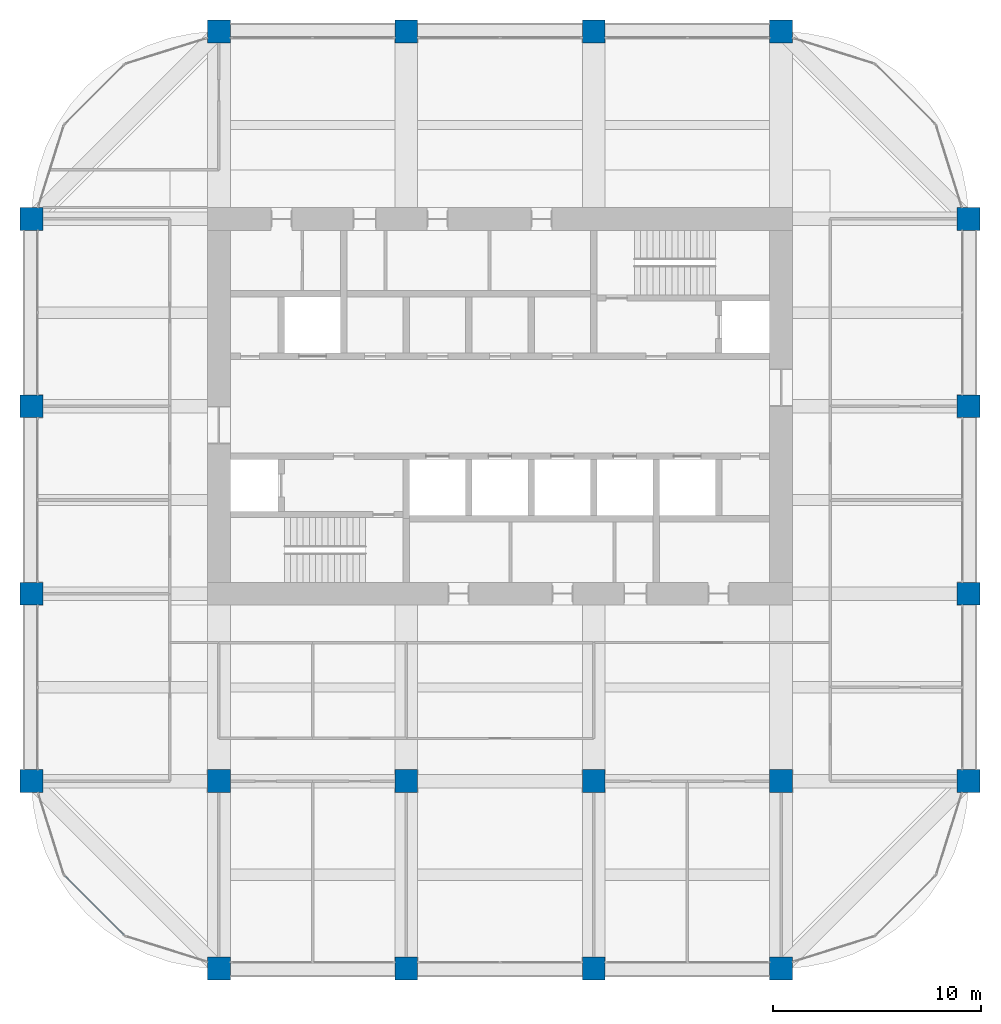
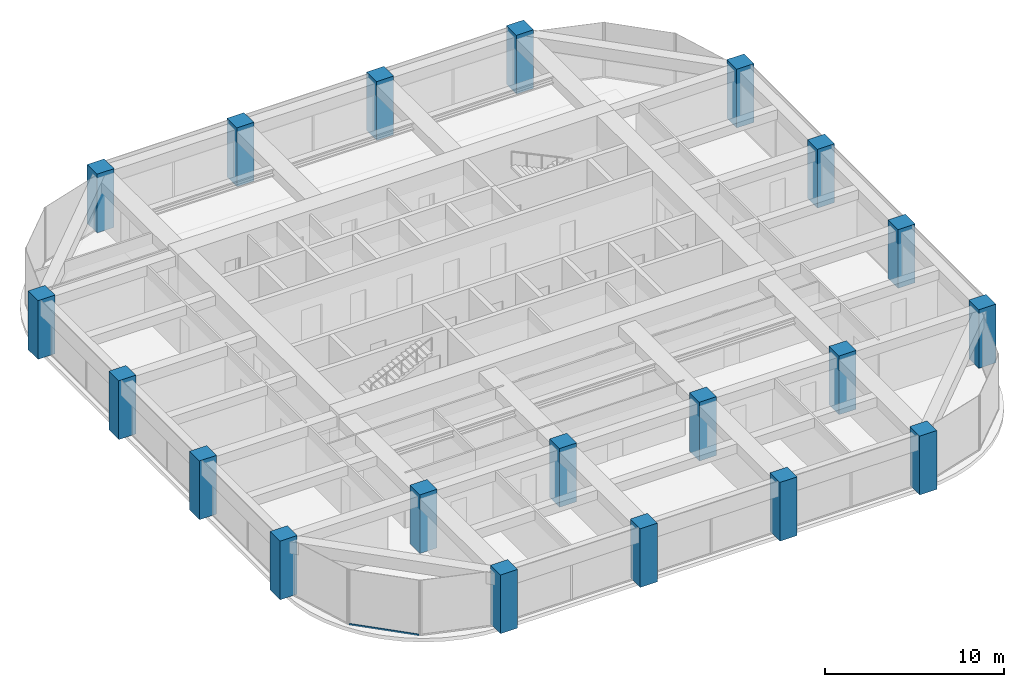
# One storey, part 1 of 45: 20 columns, 1 member, 1 element without a shape of its own.
"""IFC4 building model written with IfcOpenShell, lengths in metres."""

import ifcopenshell
import ifcopenshell.guid

model = None  # the IFC model being written
_history = None  # IfcOwnerHistory: only IFC2X3 demands one
_inside = {}  # id of a spatial element -> (the spatial element, [elements in it])
_under = {}  # id of a project, library or spatial element -> (it, [spatial elements below it])
_declared = {}  # id of a project -> (the project, [libraries it declares])
_typed = {}  # id of a type object -> (the type object, [elements of that type])
_made_of = {}  # id of a material, layer set ... -> (it, [elements and type objects made of it])


def new_model(schema):
    """Start an empty IFC model of exactly this schema.

    Asked for "IFC4X3", IfcOpenShell would pick the latest addendum, in which some entities
    have other attributes; the version numbers below select the first issue.
    IFC2X3 requires an IfcOwnerHistory on every rooted entity: one is made here for all.
    """
    global model, _history
    if schema == "IFC4X3":
        model = ifcopenshell.file(schema_version=(4, 3, 0, 0))
    else:
        model = ifcopenshell.file(schema=schema)
    _inside.clear()
    _under.clear()
    _declared.clear()
    _typed.clear()
    _made_of.clear()
    _history = None
    if model.schema == "IFC2X3":
        org = make("IfcOrganization", Name="unknown")
        user = make(
            "IfcPersonAndOrganization",
            ThePerson=make("IfcPerson", FamilyName="unknown"),
            TheOrganization=org,
        )
        app = make(
            "IfcApplication",
            ApplicationDeveloper=org,
            Version="unknown",
            ApplicationFullName="unknown",
            ApplicationIdentifier="unknown",
        )
        _history = make(
            "IfcOwnerHistory",
            OwningUser=user,
            OwningApplication=app,
            ChangeAction="ADDED",
            CreationDate=0,
        )
    return model


def make(cls, **values):
    """One entity of the class cls with the attributes given. An attribute that is None is left unset."""
    return model.create_entity(
        cls, **{name: value for name, value in values.items() if value is not None}
    )


def rooted(cls, **values):
    """An entity with a GlobalId (a new one), such as an element, a storey or a relation."""
    return make(cls, GlobalId=ifcopenshell.guid.new(), OwnerHistory=_history, **values)


def si_unit(unit_type, name, prefix=None):
    """IfcSIUnit, for example si_unit("LENGTHUNIT", "METRE", prefix="MILLI")."""
    return make("IfcSIUnit", UnitType=unit_type, Prefix=prefix, Name=name)


def assignment(units):
    """IfcUnitAssignment: the units of a project."""
    return None if units is None else make("IfcUnitAssignment", Units=units)


def point(xyz):
    """IfcCartesianPoint."""
    return None if xyz is None else make("IfcCartesianPoint", Coordinates=xyz)


def direction(xyz):
    """IfcDirection."""
    return None if xyz is None else make("IfcDirection", DirectionRatios=xyz)


def frame(location, z_axis=None, x_axis=None):
    """IfcAxis2Placement3D, a coordinate frame: its origin and axes. An axis left out is left unset."""
    return make(
        "IfcAxis2Placement3D",
        Location=point(location),
        Axis=direction(z_axis),
        RefDirection=direction(x_axis),
    )


def frame_2d(location, x_axis=None):
    """IfcAxis2Placement2D, a coordinate frame in the plane: its origin and x axis."""
    return make(
        "IfcAxis2Placement2D", Location=point(location), RefDirection=direction(x_axis)
    )


def origin():
    """The frame at (0, 0, 0) with its axes left unset."""
    return frame((0.0, 0.0, 0.0))


def origin_2d():
    """The frame at (0, 0) in the plane with its x axis left unset."""
    return frame_2d((0.0, 0.0))


def place(relative_to, where):
    """IfcLocalPlacement: puts the frame where relative to a parent placement (None: the world)."""
    return make(
        "IfcLocalPlacement", PlacementRelTo=relative_to, RelativePlacement=where
    )


def context(
    kind, dimensions, precision=None, world=None, true_north=None, identifier=None
):
    """IfcGeometricRepresentationContext, for example the 3D "Model" context."""
    return make(
        "IfcGeometricRepresentationContext",
        ContextIdentifier=identifier,
        ContextType=kind,
        CoordinateSpaceDimension=dimensions,
        Precision=precision,
        WorldCoordinateSystem=world,
        TrueNorth=true_north,
    )


def subcontext(parent, identifier, kind, view, scale=None):
    """IfcGeometricRepresentationSubContext, for example "Body" below "Model"."""
    return make(
        "IfcGeometricRepresentationSubContext",
        ContextIdentifier=identifier,
        ContextType=kind,
        ParentContext=parent,
        TargetScale=scale,
        TargetView=view,
    )


def project(units=None, contexts=None):
    """IfcProject with its units and contexts."""
    return rooted(
        "IfcProject",
        Name="project",
        RepresentationContexts=contexts,
        UnitsInContext=assignment(units),
    )


def spatial(cls, under=None, at=None, **own):
    """A site, building, storey or space (cls), placed at a placement, below another one or the project."""
    s = rooted(cls, ObjectPlacement=at, **own)
    if under is not None:
        _under.setdefault(under.id(), (under, []))[1].append(s)
    return s


def profile(cls, at=None, kind="AREA", **sizes):
    """A parametric profile (cls). Its sizes go by their IFC names, for example OverallWidth=200.0."""
    return make(cls, ProfileType=kind, Position=at, **sizes)


def rectangle(**sizes):
    """IfcRectangleProfileDef."""
    return profile("IfcRectangleProfileDef", **sizes)


def hollow_rectangle(**sizes):
    """IfcRectangleHollowProfileDef."""
    return profile("IfcRectangleHollowProfileDef", **sizes)


def extrude(swept, where, along, depth):
    """IfcExtrudedAreaSolid: the profile swept, set in the frame where, extruded along a direction by depth."""
    return make(
        "IfcExtrudedAreaSolid",
        SweptArea=swept,
        Position=where,
        ExtrudedDirection=direction(along),
        Depth=depth,
    )


def shape(context_of_items, identifier, shape_type, items):
    """IfcShapeRepresentation: the items that make up one representation, for example the "Body"."""
    return make(
        "IfcShapeRepresentation",
        ContextOfItems=context_of_items,
        RepresentationIdentifier=identifier,
        RepresentationType=shape_type,
        Items=items,
    )


def material(Name=None, Category=None):
    """IfcMaterial."""
    return make("IfcMaterial", Name=Name, Category=Category)


def material_profile(
    of_material, cross_section, Name=None, Category=None, Priority=None
):
    """IfcMaterialProfile: a cross section and its material."""
    return make(
        "IfcMaterialProfile",
        Name=Name,
        Material=of_material,
        Profile=cross_section,
        Priority=Priority,
        Category=Category,
    )


def profile_set(profiles, Name=None, composite=None):
    """IfcMaterialProfileSet."""
    return make(
        "IfcMaterialProfileSet",
        Name=Name,
        MaterialProfiles=profiles,
        CompositeProfile=composite,
    )


def made_of(thing, what):
    """Note that an element or type object is made of a material, layer set ...; save() writes the relation."""
    if what is not None:
        _made_of.setdefault(what.id(), (what, []))[1].append(thing)
    return thing


def type_object(cls, material=None, **own):
    """A type object (cls), such as IfcWallType, which elements share."""
    return made_of(rooted(cls, **own), material)


def element(
    cls,
    number,
    at=None,
    inside=None,
    cuts=None,
    type_object=None,
    material=None,
    context=None,
    identifier="Body",
    shape_type=None,
    held_by="IfcProductDefinitionShape",
    body=None,
    shapes=None,
    **own,
):
    """One element of the class cls, such as IfcWall. Its Tag is "e" and its number.

    at: its placement. inside: the storey or other place that contains it. cuts: it is an
    opening in that element (IfcRelVoidsElement). A single representation is given by context,
    identifier, shape_type and body (its items); several are given by shapes. held_by: the class
    of the entity that holds the representations. save() writes the other relations.
    """
    e = rooted(cls, Tag="e%d" % number, ObjectPlacement=at, **own)
    if body is not None:
        shapes = [shape(context, identifier, shape_type, body)]
    if shapes is not None:
        e.Representation = make(held_by, Representations=shapes)
    if inside is not None:
        _inside.setdefault(inside.id(), (inside, []))[1].append(e)
    if cuts is not None:
        rooted(
            "IfcRelVoidsElement", RelatingBuildingElement=cuts, RelatedOpeningElement=e
        )
    if type_object is not None:
        _typed.setdefault(type_object.id(), (type_object, []))[1].append(e)
    return made_of(e, material)


def aggregate(whole, parts):
    """IfcRelAggregates: a whole, such as a stair, and the parts it consists of."""
    return rooted("IfcRelAggregates", RelatingObject=whole, RelatedObjects=parts)


def save(model, path):
    """Write the relations noted so far, then the file.

    IfcRelAggregates (storeys below a building ...), IfcRelContainedInSpatialStructure (elements
    in a storey), IfcRelDefinesByType, IfcRelAssociatesMaterial and IfcRelDeclares: one each for
    every whole, place, type object, material and project.
    """
    for whole, parts in _under.values():
        aggregate(whole, parts)
    for where, things in _inside.values():
        rooted(
            "IfcRelContainedInSpatialStructure",
            RelatedElements=things,
            RelatingStructure=where,
        )
    for kind, things in _typed.values():
        rooted("IfcRelDefinesByType", RelatedObjects=things, RelatingType=kind)
    for what, things in _made_of.values():
        rooted("IfcRelAssociatesMaterial", RelatedObjects=things, RelatingMaterial=what)
    for by, libraries in _declared.values():
        rooted("IfcRelDeclares", RelatingContext=by, RelatedDefinitions=libraries)
    model.write(path)


model = new_model("IFC4")

# Units and contexts
model_context = context("Model", 3, precision=1e-05, world=origin(), true_north=direction((0.0, 1.0)))
body_context = subcontext(model_context, "Body", "Model", "MODEL_VIEW")
ifc_project = project(units=[si_unit("LENGTHUNIT", "METRE"), si_unit("AREAUNIT", "SQUARE_METRE"), si_unit("VOLUMEUNIT", "CUBIC_METRE"), si_unit("PLANEANGLEUNIT", "RADIAN"), si_unit("MASSUNIT", "GRAM", prefix="KILO")], contexts=[model_context])

# Site, building, storey
site_placement = place(None, origin())
site = spatial("IfcSite", under=ifc_project, at=site_placement, CompositionType="ELEMENT")
building_placement = place(site_placement, origin())
building = spatial("IfcBuilding", under=site, at=building_placement, Name="Zorevar Civic Tower", CompositionType="ELEMENT")
storey_placement = place(building_placement, frame((0.0, 0.0, 303.39990234375)))
storey = spatial("IfcBuildingStorey", under=building, at=storey_placement, Name="L74", CompositionType="ELEMENT", Elevation=303.39990234375)

# Columns
ifc_material_1 = material(Name="Concrete C50/60", Category="concrete")
ifc_material_profile_1 = material_profile(ifc_material_1, rectangle(XDim=1.10009765625, YDim=1.10009765625, at=origin_2d()), Name="RC 1100x1100")
ifc_profile_set_1 = profile_set([ifc_material_profile_1], Name="Concrete C50/60")
column_type = type_object("IfcColumnType", Name="Column RC 1100x1100", PredefinedType="COLUMN", material=ifc_profile_set_1)
for number, where, z_axis, x_axis, name in (
    (1, (9.0, 9.0, 0.0), (0.0, 0.0, 1.0), (1.0, 0.0, 0.0), "Column 3B L74"),
    (2, (9.0, 18.0, 0.0), (0.0, 0.0, 1.0), (1.0, 0.0, 0.0), "Column 3C L74"),
    (3, (9.0, 27.0, 0.0), (0.0, 0.0, 1.0), (1.0, 0.0, 0.0), "Column 3D L74"),
    (4, (9.0, 36.0, 0.0), (0.0, 0.0, 1.0), (1.0, 0.0, 0.0), "Column 3E L74"),
    (5, (18.0, 0.0, 0.0), (0.0, 0.0, 1.0), (1.0, 0.0, 0.0), "Column 4A L74"),
    (6, (18.0, 9.0, 0.0), (0.0, 0.0, 1.0), (1.0, 0.0, 0.0), "Column 4B L74"),
    (7, (18.0, 45.0, 0.0), (0.0, 0.0, 1.0), (1.0, 0.0, 0.0), "Column 4F L74"),
    (8, (27.0, 0.0, 0.0), (0.0, 0.0, 1.0), (1.0, 0.0, 0.0), "Column 5A L74"),
    (9, (27.0, 9.0, 0.0), (0.0, 0.0, 1.0), (1.0, 0.0, 0.0), "Column 5B L74"),
    (10, (27.0, 45.0, 0.0), (0.0, 0.0, 1.0), (1.0, 0.0, 0.0), "Column 5F L74"),
    (11, (36.0, 0.0, 0.0), (0.0, 0.0, 1.0), (1.0, 0.0, 0.0), "Column 6A L74"),
    (12, (36.0, 9.0, 0.0), (0.0, 0.0, 1.0), (1.0, 0.0, 0.0), "Column 6B L74"),
    (13, (36.0, 45.0, 0.0), (0.0, 0.0, 1.0), (1.0, 0.0, 0.0), "Column 6F L74"),
    (14, (45.0, 0.0, 0.0), (0.0, 0.0, 1.0), (1.0, 0.0, 0.0), "Column 7A L74"),
    (15, (45.0, 9.0, 0.0), (0.0, 0.0, 1.0), (1.0, 0.0, 0.0), "Column 7B L74"),
    (16, (45.0, 45.0, 0.0), (0.0, 0.0, 1.0), (1.0, 0.0, 0.0), "Column 7F L74"),
    (17, (54.0, 9.0, 0.0), (0.0, 0.0, 1.0), (1.0, 0.0, 0.0), "Column 8B L74"),
    (18, (54.0, 18.0, 0.0), (0.0, 0.0, 1.0), (1.0, 0.0, 0.0), "Column 8C L74"),
    (19, (54.0, 27.0, 0.0), (0.0, 0.0, 1.0), (1.0, 0.0, 0.0), "Column 8D L74"),
    (20, (54.0, 36.0, 0.0), (0.0, 0.0, 1.0), (1.0, 0.0, 0.0), "Column 8E L74"),
):
    element("IfcColumn", number, at=place(storey_placement, frame(where, z_axis=z_axis, x_axis=x_axis)), inside=storey, type_object=column_type, Name=name, PredefinedType="COLUMN", context=body_context, shape_type="SweptSolid", body=[
        extrude(rectangle(XDim=1.10009765625, YDim=1.10009765625, at=origin_2d()), origin(), (0.0, 0.0, 1.0), 4.0),
    ])

# Curtain wall, member
ifc_material_2 = material(Name="Dark grey solar-control glass in black aluminium frame", Category="aluminium")
curtain_wall_type = type_object("IfcCurtainWallType", Name="Curtain wall CW5 top zone", PredefinedType="NOTDEFINED", material=ifc_material_2)
curtain_wall_placement = place(storey_placement, origin())
curtain_wall = element("IfcCurtainWall", 21, at=curtain_wall_placement, inside=storey, type_object=curtain_wall_type, Name="CW5 L74", PredefinedType="NOTDEFINED")
ifc_material_3 = material(Name="Aluminium, black anodised", Category="aluminium")
ifc_material_profile_2 = material_profile(ifc_material_3, hollow_rectangle(XDim=0.06005859375, YDim=0.1201171875, WallThickness=0.0029296875, at=origin_2d()), Name="AL 120x60x3")
ifc_profile_set_2 = profile_set([ifc_material_profile_2], Name="Aluminium, black anodised")
member_type = type_object("IfcMemberType", Name="CW5 transom AL 120x60x3", PredefinedType="USERDEFINED", material=ifc_profile_set_2)
member_placement = place(storey_placement, frame((10.6015625, 4.44970703125, 0.030029296875), z_axis=(0.707106781187, -0.707106781187, 0.0), x_axis=(0.707106781187, 0.707106781187, 0.0)))
member = element("IfcMember", 22, at=member_placement, type_object=member_type, Name="CW5 sill transom", ObjectType="TRANSOM", PredefinedType="USERDEFINED", context=body_context, shape_type="SweptSolid", body=[
    extrude(hollow_rectangle(XDim=0.06005859375, YDim=0.1201171875, WallThickness=0.0029296875, at=origin_2d()), origin(), (0.0, 0.0, 1.0), 4.02783203125),
])
aggregate(curtain_wall, [member])

save(model, "model.ifc")
